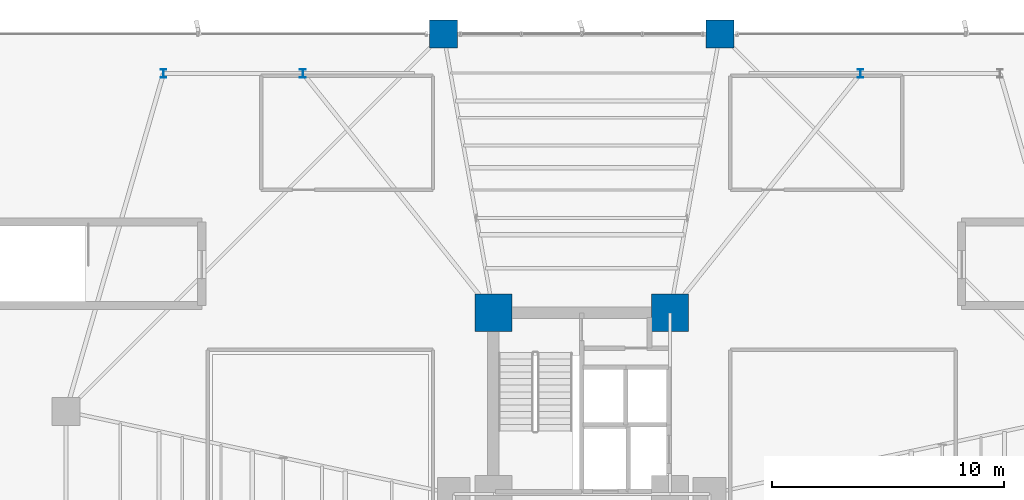
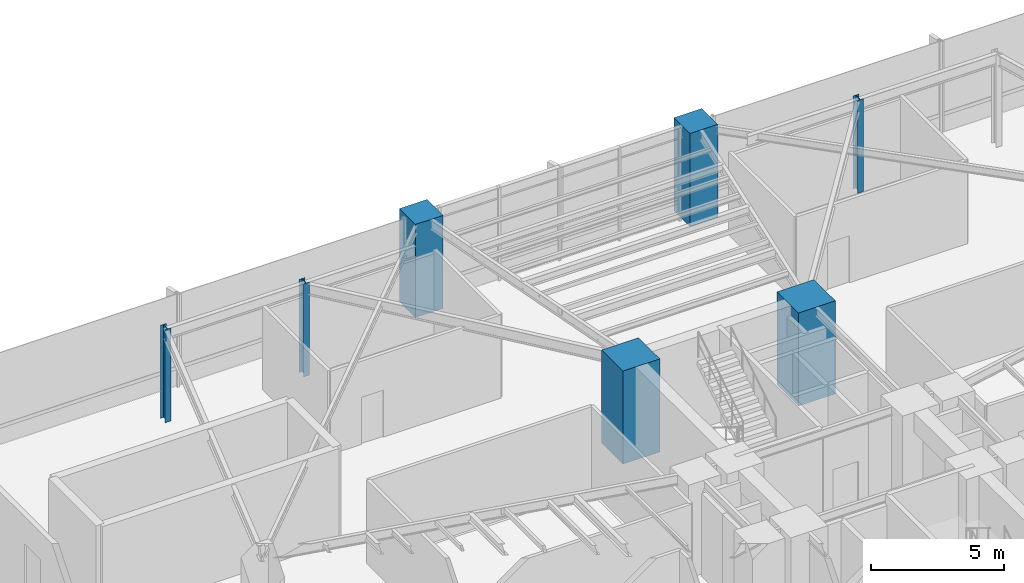
# One storey, part 3 of 26: 7 columns.
"""IFC4 building model written with IfcOpenShell, lengths in metres."""

from ifc_helpers import new_model, si_unit, direction, frame, origin, origin_2d, place, context, subcontext, project, spatial, rectangle, i_section, extrude, source, transform, mapped, material, material_profile, profile_set, type_object, element, save


model = new_model("IFC4")

# Units and contexts
model_context = context("Model", 3, precision=1e-05, world=origin(), true_north=direction((0.0, 1.0)))
body_context = subcontext(model_context, "Body", "Model", "MODEL_VIEW")
ifc_project = project(units=[si_unit("LENGTHUNIT", "METRE"), si_unit("AREAUNIT", "SQUARE_METRE"), si_unit("VOLUMEUNIT", "CUBIC_METRE"), si_unit("PLANEANGLEUNIT", "RADIAN"), si_unit("MASSUNIT", "GRAM", prefix="KILO")], contexts=[model_context])

# Site, building, storey
site_placement = place(None, origin())
site = spatial("IfcSite", under=ifc_project, at=site_placement, CompositionType="ELEMENT")
building_placement = place(site_placement, origin())
building = spatial("IfcBuilding", under=site, at=building_placement, Name="Sahyath Konkavel Grand Hotel", CompositionType="ELEMENT")
storey_placement = place(building_placement, frame((0.0, 0.0, 18.60009765625)))
storey = spatial("IfcBuildingStorey", under=building, at=storey_placement, Name="L04", CompositionType="ELEMENT", Elevation=18.60009765625)

# Columns
ifc_material_1 = material(Name="Concrete C70/85", Category="concrete")
ifc_material_profile_1 = material_profile(ifc_material_1, rectangle(XDim=1.60009765625, YDim=1.60009765625, at=origin_2d()), Name="RC 1600x1600")
ifc_profile_set_1 = profile_set([ifc_material_profile_1], Name="Concrete C70/85")
column_type_1 = type_object("IfcColumnType", Name="COL-RC1600", PredefinedType="COLUMN", material=ifc_profile_set_1)
shared_shape_1 = source(origin(), body_context, "Body", "SweptSolid", [
    extrude(rectangle(XDim=1.60009765625, YDim=1.60009765625, at=origin_2d()), origin(), (0.0, 0.0, 1.0), 4.260009765625),
])
for number, where, z_axis, x_axis, name in (
    (1, (-3.800048828125, 10.199951171875, 0.0), (0.0, 0.0, 1.0), (1.0, 0.0, 0.0), "L04 Core Boundary Column NC-NW"),
    (2, (3.800048828125, 10.199951171875, 0.0), (0.0, 0.0, 1.0), (1.0, 0.0, 0.0), "L04 Core Boundary Column NC-NE"),
):
    element("IfcColumn", number, at=place(storey_placement, frame(where, z_axis=z_axis, x_axis=x_axis)), inside=storey, type_object=column_type_1, Name=name, PredefinedType="COLUMN", context=body_context, shape_type="MappedRepresentation", body=[
        mapped(shared_shape_1, transform((0.0, 0.0, 0.0), scale=1.0)),
    ])
ifc_material_2 = material(Name="Concrete C50/60", Category="concrete")
ifc_material_profile_2 = material_profile(ifc_material_2, rectangle(XDim=1.199951171875, YDim=1.199951171875, at=origin_2d()), Name="RC 1200x1200")
ifc_profile_set_2 = profile_set([ifc_material_profile_2], Name="Concrete C50/60")
column_type_2 = type_object("IfcColumnType", Name="COL-RC1200", PredefinedType="COLUMN", material=ifc_profile_set_2)
shared_shape_2 = source(origin(), body_context, "Body", "SweptSolid", [
    extrude(rectangle(XDim=1.199951171875, YDim=1.199951171875, at=origin_2d()), origin(), (0.0, 0.0, 1.0), 4.260009765625),
])
for number, where, z_axis, x_axis, name in (
    (3, (5.949951171875, 22.199951171875, 0.0), (0.0, 0.0, 1.0), (1.0, 0.0, 0.0), "L04 Cruciform Wing Column WC-NA"),
    (4, (-5.949951171875, 22.199951171875, 0.0), (0.0, 0.0, 1.0), (1.0, 0.0, 0.0), "L04 Cruciform Wing Column WC-NB"),
):
    element("IfcColumn", number, at=place(storey_placement, frame(where, z_axis=z_axis, x_axis=x_axis)), inside=storey, type_object=column_type_2, Name=name, PredefinedType="COLUMN", context=body_context, shape_type="MappedRepresentation", body=[
        mapped(shared_shape_2, transform((0.0, 0.0, 0.0), scale=1.0)),
    ])
ifc_material_3 = material(Name="Steel E350", Category="steel")
ifc_material_profile_3 = material_profile(ifc_material_3, i_section(OverallWidth=0.25, OverallDepth=0.35009765625, WebThickness=0.01171875, FlangeThickness=0.01171875, FilletRadius=0.011962890625, at=origin_2d()), Name="ISHB 350")
ifc_profile_set_3 = profile_set([ifc_material_profile_3], Name="Steel E350")
column_type_3 = type_object("IfcColumnType", Name="COL-ISHB350", PredefinedType="COLUMN", material=ifc_profile_set_3)
shared_shape_3 = source(origin(), body_context, "Body", "SweptSolid", [
    extrude(i_section(OverallWidth=0.25, OverallDepth=0.35009765625, WebThickness=0.01171875, FlangeThickness=0.01171875, FilletRadius=0.011962890625, at=origin_2d()), origin(), (0.0, 0.0, 1.0), 4.260009765625),
])
for number, where, z_axis, x_axis, name in (
    (5, (-18.0, 20.5, 0.0), (0.0, 0.0, 1.0), (1.0, 0.0, 0.0), "L04 Sandstone Colonnade Pier CL-N1"),
    (6, (-12.0, 20.5, 0.0), (0.0, 0.0, 1.0), (1.0, 0.0, 0.0), "L04 Sandstone Colonnade Pier CL-N2"),
    (7, (12.0, 20.5, 0.0), (0.0, 0.0, 1.0), (1.0, 0.0, 0.0), "L04 Sandstone Colonnade Pier CL-N3"),
):
    element("IfcColumn", number, at=place(storey_placement, frame(where, z_axis=z_axis, x_axis=x_axis)), inside=storey, type_object=column_type_3, Name=name, PredefinedType="COLUMN", context=body_context, shape_type="MappedRepresentation", body=[
        mapped(shared_shape_3, transform((0.0, 0.0, 0.0), scale=1.0)),
    ])

save(model, "model.ifc")
